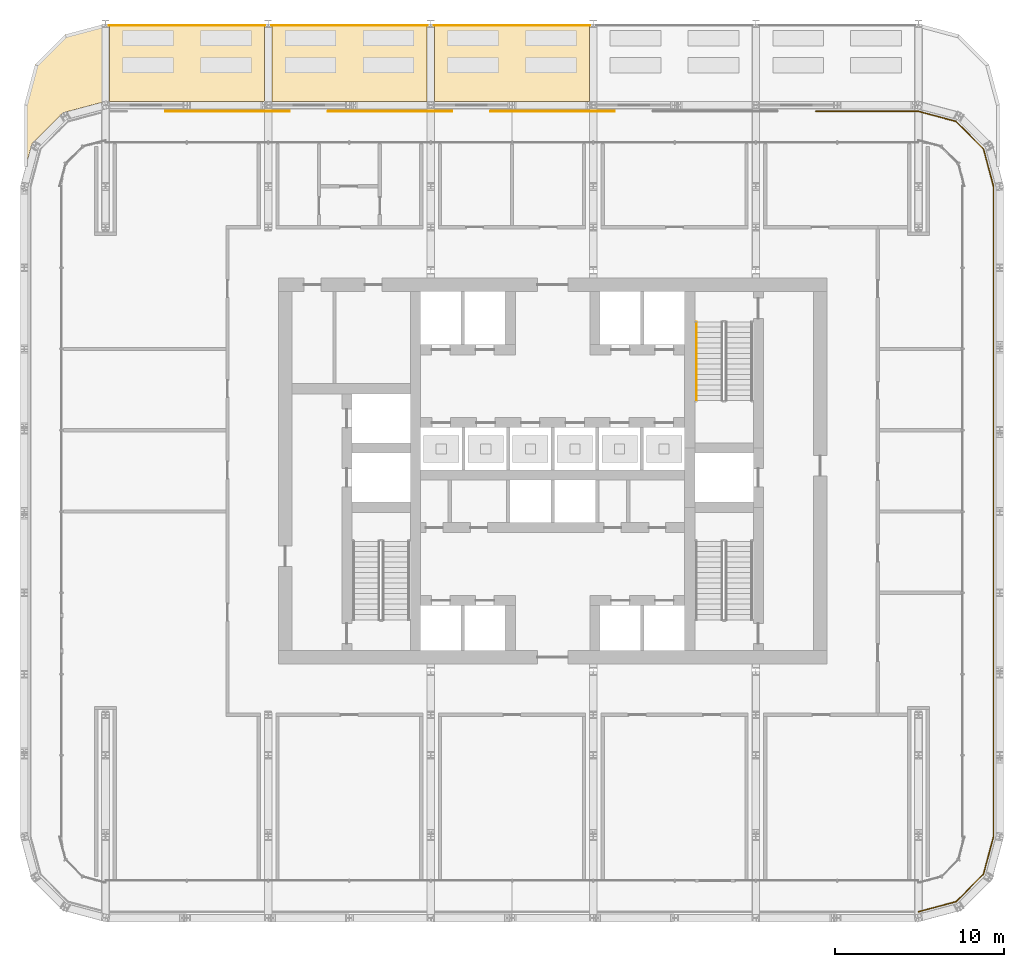
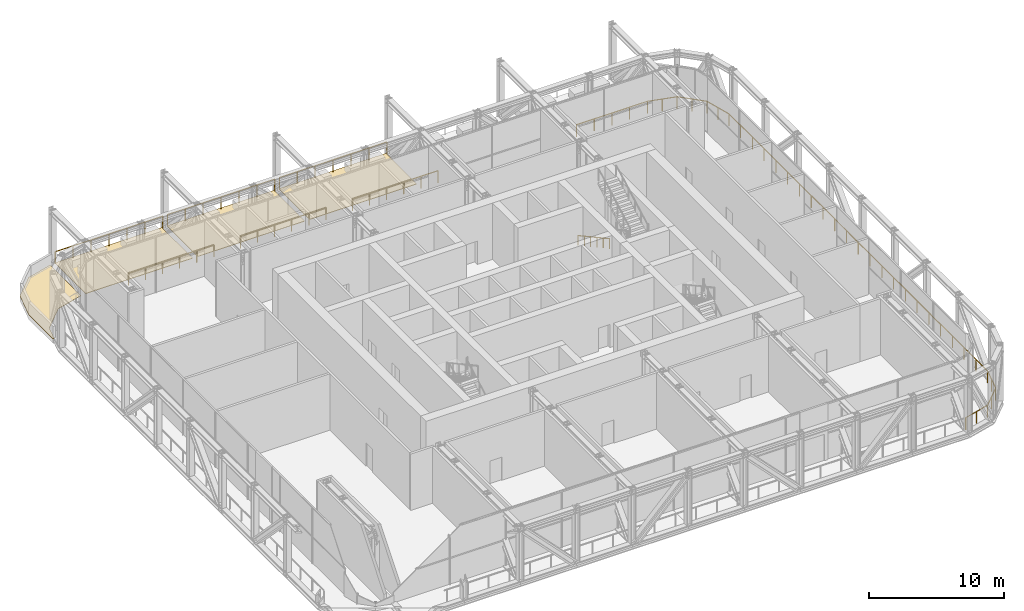
# One storey, part 24 of 27: 8 railings, 4 coverings.
"""IFC4 building model written with IfcOpenShell, lengths in metres."""

from ifc_helpers import new_model, si_unit, direction, frame, origin, origin_2d, place, context, subcontext, project, spatial, polyline, circle, outline, extrude, material, layer, layer_set, type_object, element, save


model = new_model("IFC4")

# Units and contexts
model_context = context("Model", 3, precision=1e-05, world=origin(), true_north=direction((0.0, 1.0)))
body_context = subcontext(model_context, "Body", "Model", "MODEL_VIEW")
ifc_project = project(units=[si_unit("LENGTHUNIT", "METRE"), si_unit("AREAUNIT", "SQUARE_METRE"), si_unit("VOLUMEUNIT", "CUBIC_METRE"), si_unit("PLANEANGLEUNIT", "RADIAN"), si_unit("MASSUNIT", "GRAM", prefix="KILO")], contexts=[model_context])

# Site, building, storey
site_placement = place(None, origin())
site = spatial("IfcSite", under=ifc_project, at=site_placement, CompositionType="ELEMENT")
building_placement = place(site_placement, origin())
building = spatial("IfcBuilding", under=site, at=building_placement, Name="Madar Terraces", CompositionType="ELEMENT")
storey_placement = place(building_placement, frame((0.0, 0.0, 143.60009765625)))
storey = spatial("IfcBuildingStorey", under=building, at=storey_placement, Name="L37", CompositionType="ELEMENT", Elevation=143.60009765625)

# Railings
ifc_material_1 = material(Name="Glass, safety glazing, with stainless steel posts", Category="steel")
railing_type_1 = type_object("IfcRailingType", Name="Balcony glass guard 1100", PredefinedType="GUARDRAIL", material=ifc_material_1)
railing_1_placement = place(storey_placement, frame((52.800048828125, 0.365966796875, 0.0)))
element("IfcRailing", 1, at=railing_1_placement, inside=storey, type_object=railing_type_1, Name="Gallery guard", PredefinedType="GUARDRAIL", context=body_context, shape_type="SweptSolid", body=[
    extrude(circle(Radius=0.02392578125, at=origin_2d()), frame((0.0, 0.0, 1.076171875), z_axis=(0.965932384035, 0.258794570021, 0.0), x_axis=(-0.258794570021, 0.965932384035, 0.0)), (0.0, 0.0, 1.0), 2.295166015625),
    extrude(circle(Radius=0.02392578125, at=origin_2d()), frame((2.217041015625, 0.593994140625, 1.076171875), z_axis=(0.707053593268, 0.707159965104, 0.0), x_axis=(-0.707159965104, 0.707053593268, 0.0)), (0.0, 0.0, 1.0), 2.295166015625),
    extrude(circle(Radius=0.02392578125, at=origin_2d()), frame((3.83984375, 2.217041015625, 1.076171875), z_axis=(0.258893810435, 0.965905789877, 0.0), x_axis=(-0.965905789877, 0.258893810435, 0.0)), (0.0, 0.0, 1.0), 2.29541015625),
    extrude(circle(Radius=0.02392578125, at=origin_2d()), frame((4.43408203125, 4.43408203125, 1.076171875), z_axis=(0.0, 1.0, 0.0), x_axis=(-1.0, 0.0, 0.0)), (0.0, 0.0, 1.0), 38.39990234375),
    extrude(circle(Radius=0.02392578125, at=origin_2d()), frame((4.43408203125, 42.833984375, 1.076171875), z_axis=(-0.258893810435, 0.965905789877, 0.0), x_axis=(-0.965905789877, -0.258893810435, 0.0)), (0.0, 0.0, 1.0), 2.29541015625),
    extrude(circle(Radius=0.02392578125, at=origin_2d()), frame((3.83984375, 45.051025390625, 1.076171875), z_axis=(-0.707053593268, 0.707159965104, 0.0), x_axis=(-0.707159965104, -0.707053593268, 0.0)), (0.0, 0.0, 1.0), 2.295166015625),
    extrude(circle(Radius=0.02392578125, at=origin_2d()), frame((2.217041015625, 46.674072265625, 1.076171875), z_axis=(-0.965932384035, 0.258794570021, 0.0), x_axis=(-0.258794570021, -0.965932384035, 0.0)), (0.0, 0.0, 1.0), 2.295166015625),
    extrude(circle(Radius=0.02392578125, at=origin_2d()), frame((0.0, 47.26806640625, 1.076171875), z_axis=(-1.0, 0.0, 0.0), x_axis=(0.0, -1.0, 0.0)), (0.0, 0.0, 1.0), 6.05810546875),
    extrude(circle(Radius=0.02099609375, at=origin_2d()), origin(), (0.0, 0.0, 1.0), 1.052001953125),
    extrude(circle(Radius=0.02099609375, at=origin_2d()), frame((1.1083984375, 0.296875, 0.0)), (0.0, 0.0, 1.0), 1.052001953125),
    extrude(circle(Radius=0.02099609375, at=origin_2d()), frame((2.217041015625, 0.593994140625, 0.0)), (0.0, 0.0, 1.0), 1.052001953125),
    extrude(circle(Radius=0.02099609375, at=origin_2d()), frame((3.0283203125, 1.405517578125, 0.0)), (0.0, 0.0, 1.0), 1.052001953125),
    extrude(circle(Radius=0.02099609375, at=origin_2d()), frame((3.83984375, 2.217041015625, 0.0)), (0.0, 0.0, 1.0), 1.052001953125),
    extrude(circle(Radius=0.02099609375, at=origin_2d()), frame((4.136962890625, 3.32568359375, 0.0)), (0.0, 0.0, 1.0), 1.052001953125),
    extrude(circle(Radius=0.02099609375, at=origin_2d()), frame((4.43408203125, 4.43408203125, 0.0)), (0.0, 0.0, 1.0), 1.052001953125),
    extrude(circle(Radius=0.02099609375, at=origin_2d()), frame((4.43408203125, 6.179443359375, 0.0)), (0.0, 0.0, 1.0), 1.052001953125),
    extrude(circle(Radius=0.02099609375, at=origin_2d()), frame((4.43408203125, 7.925048828125, 0.0)), (0.0, 0.0, 1.0), 1.052001953125),
    extrude(circle(Radius=0.02099609375, at=origin_2d()), frame((4.43408203125, 9.67041015625, 0.0)), (0.0, 0.0, 1.0), 1.052001953125),
    extrude(circle(Radius=0.02099609375, at=origin_2d()), frame((4.43408203125, 11.415771484375, 0.0)), (0.0, 0.0, 1.0), 1.052001953125),
    extrude(circle(Radius=0.02099609375, at=origin_2d()), frame((4.43408203125, 13.161376953125, 0.0)), (0.0, 0.0, 1.0), 1.052001953125),
    extrude(circle(Radius=0.02099609375, at=origin_2d()), frame((4.43408203125, 14.90673828125, 0.0)), (0.0, 0.0, 1.0), 1.052001953125),
    extrude(circle(Radius=0.02099609375, at=origin_2d()), frame((4.43408203125, 16.65234375, 0.0)), (0.0, 0.0, 1.0), 1.052001953125),
    extrude(circle(Radius=0.02099609375, at=origin_2d()), frame((4.43408203125, 18.397705078125, 0.0)), (0.0, 0.0, 1.0), 1.052001953125),
    extrude(circle(Radius=0.02099609375, at=origin_2d()), frame((4.43408203125, 20.14306640625, 0.0)), (0.0, 0.0, 1.0), 1.052001953125),
    extrude(circle(Radius=0.02099609375, at=origin_2d()), frame((4.43408203125, 21.888671875, 0.0)), (0.0, 0.0, 1.0), 1.052001953125),
    extrude(circle(Radius=0.02099609375, at=origin_2d()), frame((4.43408203125, 23.634033203125, 0.0)), (0.0, 0.0, 1.0), 1.052001953125),
    extrude(circle(Radius=0.02099609375, at=origin_2d()), frame((4.43408203125, 25.37939453125, 0.0)), (0.0, 0.0, 1.0), 1.052001953125),
    extrude(circle(Radius=0.02099609375, at=origin_2d()), frame((4.43408203125, 27.125, 0.0)), (0.0, 0.0, 1.0), 1.052001953125),
    extrude(circle(Radius=0.02099609375, at=origin_2d()), frame((4.43408203125, 28.870361328125, 0.0)), (0.0, 0.0, 1.0), 1.052001953125),
    extrude(circle(Radius=0.02099609375, at=origin_2d()), frame((4.43408203125, 30.61572265625, 0.0)), (0.0, 0.0, 1.0), 1.052001953125),
    extrude(circle(Radius=0.02099609375, at=origin_2d()), frame((4.43408203125, 32.361328125, 0.0)), (0.0, 0.0, 1.0), 1.052001953125),
    extrude(circle(Radius=0.02099609375, at=origin_2d()), frame((4.43408203125, 34.106689453125, 0.0)), (0.0, 0.0, 1.0), 1.052001953125),
    extrude(circle(Radius=0.02099609375, at=origin_2d()), frame((4.43408203125, 35.852294921875, 0.0)), (0.0, 0.0, 1.0), 1.052001953125),
    extrude(circle(Radius=0.02099609375, at=origin_2d()), frame((4.43408203125, 37.59765625, 0.0)), (0.0, 0.0, 1.0), 1.052001953125),
    extrude(circle(Radius=0.02099609375, at=origin_2d()), frame((4.43408203125, 39.343017578125, 0.0)), (0.0, 0.0, 1.0), 1.052001953125),
    extrude(circle(Radius=0.02099609375, at=origin_2d()), frame((4.43408203125, 41.088623046875, 0.0)), (0.0, 0.0, 1.0), 1.052001953125),
    extrude(circle(Radius=0.02099609375, at=origin_2d()), frame((4.43408203125, 42.833984375, 0.0)), (0.0, 0.0, 1.0), 1.052001953125),
    extrude(circle(Radius=0.02099609375, at=origin_2d()), frame((4.136962890625, 43.9423828125, 0.0)), (0.0, 0.0, 1.0), 1.052001953125),
    extrude(circle(Radius=0.02099609375, at=origin_2d()), frame((3.83984375, 45.051025390625, 0.0)), (0.0, 0.0, 1.0), 1.052001953125),
    extrude(circle(Radius=0.02099609375, at=origin_2d()), frame((3.0283203125, 45.862548828125, 0.0)), (0.0, 0.0, 1.0), 1.052001953125),
    extrude(circle(Radius=0.02099609375, at=origin_2d()), frame((2.217041015625, 46.674072265625, 0.0)), (0.0, 0.0, 1.0), 1.052001953125),
    extrude(circle(Radius=0.02099609375, at=origin_2d()), frame((1.1083984375, 46.97119140625, 0.0)), (0.0, 0.0, 1.0), 1.052001953125),
    extrude(circle(Radius=0.02099609375, at=origin_2d()), frame((0.0, 47.26806640625, 0.0)), (0.0, 0.0, 1.0), 1.052001953125),
    extrude(circle(Radius=0.02099609375, at=origin_2d()), frame((-1.5146484375, 47.26806640625, 0.0)), (0.0, 0.0, 1.0), 1.052001953125),
    extrude(circle(Radius=0.02099609375, at=origin_2d()), frame((-3.029052734375, 47.26806640625, 0.0)), (0.0, 0.0, 1.0), 1.052001953125),
    extrude(circle(Radius=0.02099609375, at=origin_2d()), frame((-4.54345703125, 47.26806640625, 0.0)), (0.0, 0.0, 1.0), 1.052001953125),
    extrude(circle(Radius=0.02099609375, at=origin_2d()), frame((-6.05810546875, 47.26806640625, 0.0)), (0.0, 0.0, 1.0), 1.052001953125),
])
railing_2_placement = place(storey_placement, frame((34.85791015625, 47.634033203125, 0.0)))
element("IfcRailing", 2, at=railing_2_placement, inside=storey, type_object=railing_type_1, Name="Gallery guard", PredefinedType="GUARDRAIL", context=body_context, shape_type="SweptSolid", body=[
    extrude(circle(Radius=0.02392578125, at=origin_2d()), frame((0.0, 0.0, 1.076171875), z_axis=(-1.0, 0.0, 0.0), x_axis=(0.0, -1.0, 0.0)), (0.0, 0.0, 1.0), 7.31591796875),
    extrude(circle(Radius=0.02099609375, at=origin_2d()), origin(), (0.0, 0.0, 1.0), 1.052001953125),
    extrude(circle(Radius=0.02099609375, at=origin_2d()), frame((-1.463134765625, 0.0, 0.0)), (0.0, 0.0, 1.0), 1.052001953125),
    extrude(circle(Radius=0.02099609375, at=origin_2d()), frame((-2.92626953125, 0.0, 0.0)), (0.0, 0.0, 1.0), 1.052001953125),
    extrude(circle(Radius=0.02099609375, at=origin_2d()), frame((-4.3896484375, 0.0, 0.0)), (0.0, 0.0, 1.0), 1.052001953125),
    extrude(circle(Radius=0.02099609375, at=origin_2d()), frame((-5.852783203125, 0.0, 0.0)), (0.0, 0.0, 1.0), 1.052001953125),
    extrude(circle(Radius=0.02099609375, at=origin_2d()), frame((-7.31591796875, 0.0, 0.0)), (0.0, 0.0, 1.0), 1.052001953125),
])
railing_3_placement = place(storey_placement, frame((25.258056640625, 47.634033203125, 0.0)))
element("IfcRailing", 3, at=railing_3_placement, inside=storey, type_object=railing_type_1, Name="Gallery guard", PredefinedType="GUARDRAIL", context=body_context, shape_type="SweptSolid", body=[
    extrude(circle(Radius=0.02392578125, at=origin_2d()), frame((0.0, 0.0, 1.076171875), z_axis=(-1.0, 0.0, 0.0), x_axis=(0.0, -1.0, 0.0)), (0.0, 0.0, 1.0), 7.316162109375),
    extrude(circle(Radius=0.02099609375, at=origin_2d()), origin(), (0.0, 0.0, 1.0), 1.052001953125),
    extrude(circle(Radius=0.02099609375, at=origin_2d()), frame((-1.463134765625, 0.0, 0.0)), (0.0, 0.0, 1.0), 1.052001953125),
    extrude(circle(Radius=0.02099609375, at=origin_2d()), frame((-2.926513671875, 0.0, 0.0)), (0.0, 0.0, 1.0), 1.052001953125),
    extrude(circle(Radius=0.02099609375, at=origin_2d()), frame((-4.3896484375, 0.0, 0.0)), (0.0, 0.0, 1.0), 1.052001953125),
    extrude(circle(Radius=0.02099609375, at=origin_2d()), frame((-5.85302734375, 0.0, 0.0)), (0.0, 0.0, 1.0), 1.052001953125),
    extrude(circle(Radius=0.02099609375, at=origin_2d()), frame((-7.316162109375, 0.0, 0.0)), (0.0, 0.0, 1.0), 1.052001953125),
])
railing_4_placement = place(storey_placement, frame((15.657958984375, 47.634033203125, 0.0)))
element("IfcRailing", 4, at=railing_4_placement, inside=storey, type_object=railing_type_1, Name="Gallery guard", PredefinedType="GUARDRAIL", context=body_context, shape_type="SweptSolid", body=[
    extrude(circle(Radius=0.02392578125, at=origin_2d()), frame((0.0, 0.0, 1.076171875), z_axis=(-1.0, 0.0, 0.0), x_axis=(0.0, -1.0, 0.0)), (0.0, 0.0, 1.0), 7.31591796875),
    extrude(circle(Radius=0.02099609375, at=origin_2d()), origin(), (0.0, 0.0, 1.0), 1.052001953125),
    extrude(circle(Radius=0.02099609375, at=origin_2d()), frame((-1.463134765625, 0.0, 0.0)), (0.0, 0.0, 1.0), 1.052001953125),
    extrude(circle(Radius=0.02099609375, at=origin_2d()), frame((-2.92626953125, 0.0, 0.0)), (0.0, 0.0, 1.0), 1.052001953125),
    extrude(circle(Radius=0.02099609375, at=origin_2d()), frame((-4.3896484375, 0.0, 0.0)), (0.0, 0.0, 1.0), 1.052001953125),
    extrude(circle(Radius=0.02099609375, at=origin_2d()), frame((-5.852783203125, 0.0, 0.0)), (0.0, 0.0, 1.0), 1.052001953125),
    extrude(circle(Radius=0.02099609375, at=origin_2d()), frame((-7.31591796875, 0.0, 0.0)), (0.0, 0.0, 1.0), 1.052001953125),
])
for number, where, name in (
    (5, (14.2041015625, 52.699951171875, 0.039794921875), "Terrace guard"),
    (6, (23.80419921875, 52.699951171875, 0.039794921875), "Terrace guard"),
    (7, (33.404052734375, 52.699951171875, 0.039794921875), "Terrace guard"),
):
    element("IfcRailing", number, at=place(storey_placement, frame(where)), inside=storey, type_object=railing_type_1, Name=name, PredefinedType="GUARDRAIL", context=body_context, shape_type="SweptSolid", body=[
        extrude(circle(Radius=0.02392578125, at=origin_2d()), frame((0.0, 0.0, 1.076171875), z_axis=(-1.0, 0.0, 0.0), x_axis=(0.0, -1.0, 0.0)), (0.0, 0.0, 1.0), 9.208251953125),
        extrude(circle(Radius=0.02099609375, at=origin_2d()), origin(), (0.0, 0.0, 1.0), 1.052001953125),
        extrude(circle(Radius=0.02099609375, at=origin_2d()), frame((-1.53466796875, 0.0, 0.0)), (0.0, 0.0, 1.0), 1.052001953125),
        extrude(circle(Radius=0.02099609375, at=origin_2d()), frame((-3.0693359375, 0.0, 0.0)), (0.0, 0.0, 1.0), 1.052001953125),
        extrude(circle(Radius=0.02099609375, at=origin_2d()), frame((-4.60400390625, 0.0, 0.0)), (0.0, 0.0, 1.0), 1.052001953125),
        extrude(circle(Radius=0.02099609375, at=origin_2d()), frame((-6.138916015625, 0.0, 0.0)), (0.0, 0.0, 1.0), 1.052001953125),
        extrude(circle(Radius=0.02099609375, at=origin_2d()), frame((-7.673583984375, 0.0, 0.0)), (0.0, 0.0, 1.0), 1.052001953125),
        extrude(circle(Radius=0.02099609375, at=origin_2d()), frame((-9.208251953125, 0.0, 0.0)), (0.0, 0.0, 1.0), 1.052001953125),
    ])
ifc_material_2 = material(Name="Stainless steel railing", Category="steel")
railing_type_2 = type_object("IfcRailingType", Name="Stair handrail 900", PredefinedType="HANDRAIL", material=ifc_material_2)
railing_5_placement = place(storey_placement, frame((39.699951171875, 35.199951171875, 0.168701171875)))
element("IfcRailing", 8, at=railing_5_placement, inside=storey, type_object=railing_type_2, Name="L37 ST2 stair handrail 1", PredefinedType="HANDRAIL", context=body_context, shape_type="SweptSolid", body=[
    extrude(circle(Radius=0.02392578125, at=origin_2d()), frame((0.0, 0.0, 0.8759765625), z_axis=(0.0, -0.878297076953, 0.478115304728), x_axis=(1.0, 0.0, 0.0)), (0.0, 0.0, 1.0), 5.294189453125),
    extrude(circle(Radius=0.02099609375, at=origin_2d()), origin(), (0.0, 0.0, 1.0), 0.851806640625),
    extrude(circle(Radius=0.02099609375, at=origin_2d()), frame((0.0, -0.929931640625, 0.50634765625)), (0.0, 0.0, 1.0), 0.851806640625),
    extrude(circle(Radius=0.02099609375, at=origin_2d()), frame((0.0, -1.85986328125, 1.012451171875)), (0.0, 0.0, 1.0), 0.851806640625),
    extrude(circle(Radius=0.02099609375, at=origin_2d()), frame((0.0, -2.7900390625, 1.518798828125)), (0.0, 0.0, 1.0), 0.851806640625),
    extrude(circle(Radius=0.02099609375, at=origin_2d()), frame((0.0, -3.719970703125, 2.02490234375)), (0.0, 0.0, 1.0), 0.851806640625),
    extrude(circle(Radius=0.02099609375, at=origin_2d()), frame((0.0, -4.64990234375, 2.53125)), (0.0, 0.0, 1.0), 0.851806640625),
])

# Coverings
ifc_material_3 = material(Name="Porcelain paving slabs on pedestals")
ifc_layer = layer(ifc_material_3, 0.0400390625)
ifc_layer_set = layer_set([ifc_layer], Name="Terrace paving 40")
covering_type = type_object("IfcCoveringType", Name="Terrace paving 40", PredefinedType="FLOORING", material=ifc_layer_set)
covering_1_placement = place(storey_placement, origin())
element("IfcCovering", 9, at=covering_1_placement, inside=storey, type_object=covering_type, Name="Terrace paving", PredefinedType="FLOORING", context=body_context, shape_type="SweptSolid", body=[
    extrude(outline(polyline([(0.0966796875, 44.396240234375), (0.0947265625, 44.3916015625), (0.09228515625, 44.387451171875), (0.089599609375, 44.38330078125), (0.086181640625, 44.379638671875), (0.082763671875, 44.376220703125), (0.078857421875, 44.373046875), (0.07470703125, 44.370361328125), (0.0703125, 44.3681640625), (0.0654296875, 44.366455078125), (0.060791015625, 44.364990234375), (0.055908203125, 44.3642578125), (0.05078125, 44.364013671875), (0.0458984375, 44.364013671875), (0.041015625, 44.36474609375), (0.0361328125, 44.365966796875), (0.031494140625, 44.367431640625), (0.027099609375, 44.36962890625), (0.022705078125, 44.3720703125), (0.018798828125, 44.375), (0.014892578125, 44.37841796875), (0.01171875, 44.3818359375), (0.008544921875, 44.385986328125), (0.006103515625, 44.39013671875), (0.00390625, 44.39453125), (0.002197265625, 44.3994140625), (0.0009765625, 44.404052734375), (0.000244140625, 44.408935546875), (0.0, 44.4140625), (0.0, 47.993408203125), (0.000244140625, 47.997802734375), (0.000732421875, 48.002197265625), (0.001708984375, 48.00634765625), (0.6396484375, 50.38720703125), (0.64111328125, 50.39208984375), (0.643310546875, 50.396728515625), (0.64599609375, 50.4013671875), (0.64892578125, 50.405517578125), (0.652587890625, 50.409423828125), (2.390380859375, 52.1474609375), (2.394287109375, 52.15087890625), (2.398681640625, 52.154052734375), (2.4033203125, 52.156494140625), (2.407958984375, 52.15869140625), (2.412841796875, 52.160400390625), (4.521240234375, 52.725341796875), (4.52587890625, 52.726318359375), (4.53076171875, 52.726806640625), (4.535400390625, 52.72705078125), (4.540283203125, 52.7265625), (4.544921875, 52.725830078125), (4.5498046875, 52.724609375), (4.55419921875, 52.722900390625), (4.55859375, 52.720703125), (4.5625, 52.718017578125), (4.56640625, 52.715087890625), (4.56982421875, 52.7119140625), (4.572998046875, 52.708251953125), (4.575927734375, 52.704345703125), (4.578369140625, 52.7001953125), (4.580322265625, 52.69580078125), (4.58203125, 52.69140625), (4.583251953125, 52.6865234375), (4.583984375, 52.681884765625), (4.583984375, 52.677001953125), (4.583984375, 48.2041015625), (4.583740234375, 48.198974609375), (4.5830078125, 48.194091796875), (4.581787109375, 48.189208984375), (4.580078125, 48.184326171875), (4.577880859375, 48.179931640625), (4.5751953125, 48.175537109375), (4.572265625, 48.171630859375), (4.568603515625, 48.16796875), (4.56494140625, 48.164794921875), (4.560791015625, 48.161865234375), (4.556396484375, 48.1591796875), (4.5517578125, 48.1572265625), (4.547119140625, 48.15576171875), (2.28955078125, 47.55078125), (2.288330078125, 47.55029296875), (2.287353515625, 47.549560546875), (0.450439453125, 45.712646484375), (0.44970703125, 45.711669921875), (0.44921875, 45.71044921875), (0.098388671875, 44.40087890625), (0.0966796875, 44.396240234375)])), origin(), (0.0, 0.0, 1.0), 0.039794921875),
])
covering_2_placement = place(storey_placement, origin())
element("IfcCovering", 10, at=covering_2_placement, inside=storey, type_object=covering_type, Name="Terrace paving", PredefinedType="FLOORING", context=body_context, shape_type="SweptSolid", body=[
    extrude(outline(polyline([(14.148681640625, 52.7978515625), (14.1533203125, 52.796142578125), (14.15771484375, 52.794189453125), (14.161865234375, 52.79150390625), (14.165771484375, 52.788818359375), (14.16943359375, 52.785400390625), (14.1728515625, 52.78173828125), (14.17578125, 52.77783203125), (14.17822265625, 52.773681640625), (14.180419921875, 52.76904296875), (14.181884765625, 52.764404296875), (14.18310546875, 52.759765625), (14.183837890625, 52.7548828125), (14.18408203125, 52.75), (14.18408203125, 48.265869140625), (14.183837890625, 48.260986328125), (14.18310546875, 48.256103515625), (14.181884765625, 48.25146484375), (14.180419921875, 48.246826171875), (14.17822265625, 48.2421875), (14.17578125, 48.238037109375), (14.1728515625, 48.234130859375), (14.16943359375, 48.23046875), (14.165771484375, 48.227294921875), (14.161865234375, 48.224365234375), (14.15771484375, 48.2216796875), (14.1533203125, 48.2197265625), (14.148681640625, 48.218017578125), (14.143798828125, 48.216796875), (14.138916015625, 48.216064453125), (14.134033203125, 48.2158203125), (5.06591796875, 48.2158203125), (5.06103515625, 48.216064453125), (5.05615234375, 48.216796875), (5.051513671875, 48.218017578125), (5.046875, 48.2197265625), (5.042236328125, 48.2216796875), (5.0380859375, 48.224365234375), (5.0341796875, 48.227294921875), (5.030517578125, 48.23046875), (5.027099609375, 48.234130859375), (5.0244140625, 48.238037109375), (5.021728515625, 48.2421875), (5.019775390625, 48.246826171875), (5.01806640625, 48.25146484375), (5.016845703125, 48.256103515625), (5.01611328125, 48.260986328125), (5.015869140625, 48.265869140625), (5.015869140625, 52.75), (5.01611328125, 52.7548828125), (5.016845703125, 52.759765625), (5.01806640625, 52.764404296875), (5.019775390625, 52.76904296875), (5.021728515625, 52.773681640625), (5.0244140625, 52.77783203125), (5.027099609375, 52.78173828125), (5.030517578125, 52.785400390625), (5.0341796875, 52.788818359375), (5.0380859375, 52.79150390625), (5.042236328125, 52.794189453125), (5.046875, 52.796142578125), (5.051513671875, 52.7978515625), (5.05615234375, 52.799072265625), (5.06103515625, 52.7998046875), (5.06591796875, 52.800048828125), (14.134033203125, 52.800048828125), (14.138916015625, 52.7998046875), (14.143798828125, 52.799072265625), (14.148681640625, 52.7978515625)])), origin(), (0.0, 0.0, 1.0), 0.039794921875),
])
covering_3_placement = place(storey_placement, origin())
element("IfcCovering", 11, at=covering_3_placement, inside=storey, type_object=covering_type, Name="Terrace paving", PredefinedType="FLOORING", context=body_context, shape_type="SweptSolid", body=[
    extrude(outline(polyline([(23.74853515625, 52.7978515625), (23.753173828125, 52.796142578125), (23.7578125, 52.794189453125), (23.761962890625, 52.79150390625), (23.765869140625, 52.788818359375), (23.76953125, 52.785400390625), (23.772705078125, 52.78173828125), (23.775634765625, 52.77783203125), (23.7783203125, 52.773681640625), (23.7802734375, 52.76904296875), (23.781982421875, 52.764404296875), (23.783203125, 52.759765625), (23.783935546875, 52.7548828125), (23.7841796875, 52.75), (23.7841796875, 48.265869140625), (23.783935546875, 48.260986328125), (23.783203125, 48.256103515625), (23.781982421875, 48.25146484375), (23.7802734375, 48.246826171875), (23.7783203125, 48.2421875), (23.775634765625, 48.238037109375), (23.772705078125, 48.234130859375), (23.76953125, 48.23046875), (23.765869140625, 48.227294921875), (23.761962890625, 48.224365234375), (23.7578125, 48.2216796875), (23.753173828125, 48.2197265625), (23.74853515625, 48.218017578125), (23.743896484375, 48.216796875), (23.739013671875, 48.216064453125), (23.734130859375, 48.2158203125), (14.666015625, 48.2158203125), (14.660888671875, 48.216064453125), (14.656005859375, 48.216796875), (14.6513671875, 48.218017578125), (14.646728515625, 48.2197265625), (14.642333984375, 48.2216796875), (14.63818359375, 48.224365234375), (14.63427734375, 48.227294921875), (14.630615234375, 48.23046875), (14.627197265625, 48.234130859375), (14.624267578125, 48.238037109375), (14.621826171875, 48.2421875), (14.61962890625, 48.246826171875), (14.6181640625, 48.25146484375), (14.616943359375, 48.256103515625), (14.6162109375, 48.260986328125), (14.615966796875, 48.265869140625), (14.615966796875, 52.75), (14.6162109375, 52.7548828125), (14.616943359375, 52.759765625), (14.6181640625, 52.764404296875), (14.61962890625, 52.76904296875), (14.621826171875, 52.773681640625), (14.624267578125, 52.77783203125), (14.627197265625, 52.78173828125), (14.630615234375, 52.785400390625), (14.63427734375, 52.788818359375), (14.63818359375, 52.79150390625), (14.642333984375, 52.794189453125), (14.646728515625, 52.796142578125), (14.6513671875, 52.7978515625), (14.656005859375, 52.799072265625), (14.660888671875, 52.7998046875), (14.666015625, 52.800048828125), (23.734130859375, 52.800048828125), (23.739013671875, 52.7998046875), (23.743896484375, 52.799072265625), (23.74853515625, 52.7978515625)])), origin(), (0.0, 0.0, 1.0), 0.039794921875),
])
covering_4_placement = place(storey_placement, origin())
element("IfcCovering", 12, at=covering_4_placement, inside=storey, type_object=covering_type, Name="Terrace paving", PredefinedType="FLOORING", context=body_context, shape_type="SweptSolid", body=[
    extrude(outline(polyline([(33.3486328125, 52.7978515625), (33.353271484375, 52.796142578125), (33.357666015625, 52.794189453125), (33.36181640625, 52.79150390625), (33.36572265625, 52.788818359375), (33.369384765625, 52.785400390625), (33.372802734375, 52.78173828125), (33.375732421875, 52.77783203125), (33.378173828125, 52.773681640625), (33.38037109375, 52.76904296875), (33.3818359375, 52.764404296875), (33.383056640625, 52.759765625), (33.3837890625, 52.7548828125), (33.384033203125, 52.75), (33.384033203125, 48.265869140625), (33.3837890625, 48.260986328125), (33.383056640625, 48.256103515625), (33.3818359375, 48.25146484375), (33.38037109375, 48.246826171875), (33.378173828125, 48.2421875), (33.375732421875, 48.238037109375), (33.372802734375, 48.234130859375), (33.369384765625, 48.23046875), (33.36572265625, 48.227294921875), (33.36181640625, 48.224365234375), (33.357666015625, 48.2216796875), (33.353271484375, 48.2197265625), (33.3486328125, 48.218017578125), (33.343994140625, 48.216796875), (33.339111328125, 48.216064453125), (33.333984375, 48.2158203125), (24.265869140625, 48.2158203125), (24.260986328125, 48.216064453125), (24.256103515625, 48.216796875), (24.25146484375, 48.218017578125), (24.246826171875, 48.2197265625), (24.2421875, 48.2216796875), (24.238037109375, 48.224365234375), (24.234130859375, 48.227294921875), (24.23046875, 48.23046875), (24.227294921875, 48.234130859375), (24.224365234375, 48.238037109375), (24.2216796875, 48.2421875), (24.2197265625, 48.246826171875), (24.218017578125, 48.25146484375), (24.216796875, 48.256103515625), (24.216064453125, 48.260986328125), (24.2158203125, 48.265869140625), (24.2158203125, 52.75), (24.216064453125, 52.7548828125), (24.216796875, 52.759765625), (24.218017578125, 52.764404296875), (24.2197265625, 52.76904296875), (24.2216796875, 52.773681640625), (24.224365234375, 52.77783203125), (24.227294921875, 52.78173828125), (24.23046875, 52.785400390625), (24.234130859375, 52.788818359375), (24.238037109375, 52.79150390625), (24.2421875, 52.794189453125), (24.246826171875, 52.796142578125), (24.25146484375, 52.7978515625), (24.256103515625, 52.799072265625), (24.260986328125, 52.7998046875), (24.265869140625, 52.800048828125), (33.333984375, 52.800048828125), (33.339111328125, 52.7998046875), (33.343994140625, 52.799072265625), (33.3486328125, 52.7978515625)])), origin(), (0.0, 0.0, 1.0), 0.039794921875),
])

save(model, "model.ifc")
